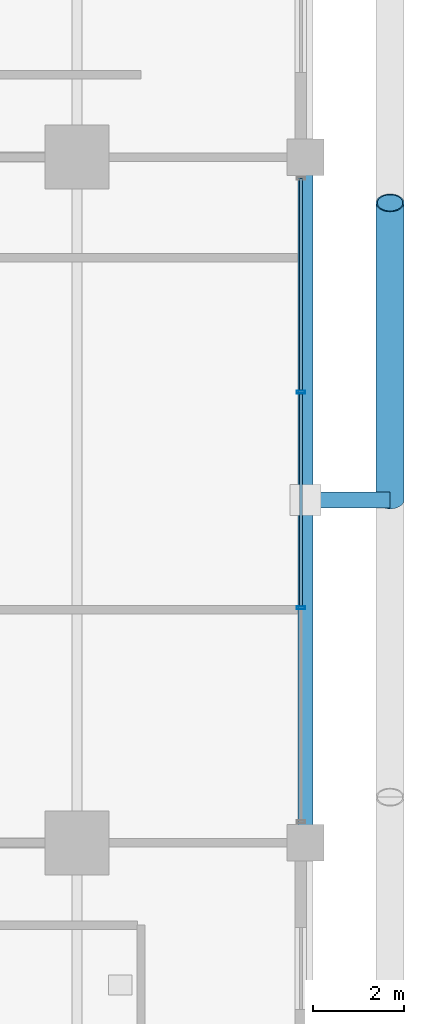
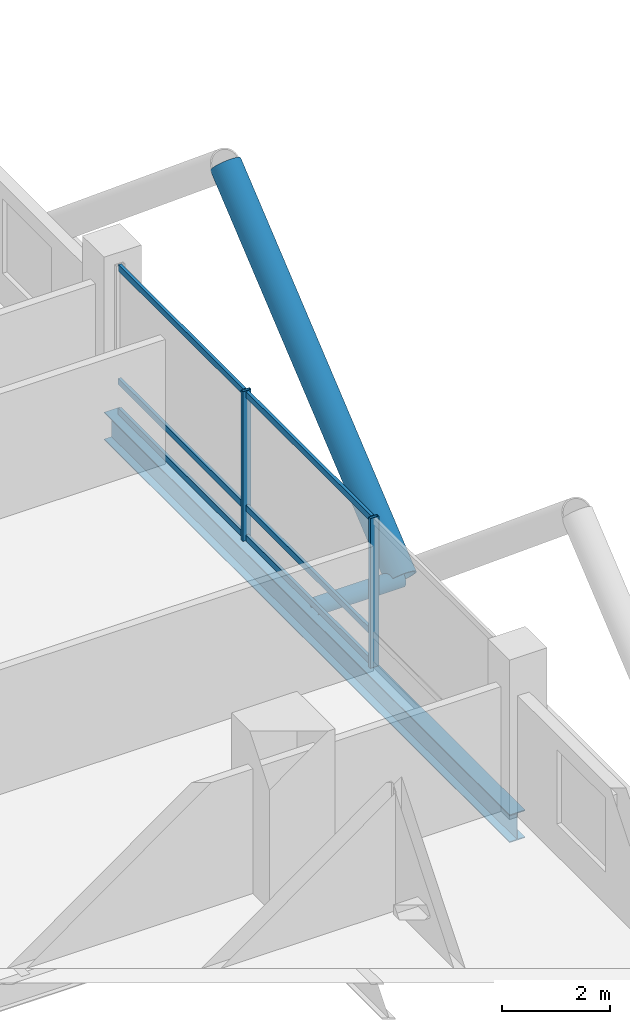
# One storey, part 12 of 26: 10 members, 1 beam, 1 element without a shape of its own.
"""IFC4 building model written with IfcOpenShell, lengths in metres."""

import ifcopenshell
import ifcopenshell.guid

model = None  # the IFC model being written
_history = None  # IfcOwnerHistory: only IFC2X3 demands one
_inside = {}  # id of a spatial element -> (the spatial element, [elements in it])
_under = {}  # id of a project, library or spatial element -> (it, [spatial elements below it])
_declared = {}  # id of a project -> (the project, [libraries it declares])
_typed = {}  # id of a type object -> (the type object, [elements of that type])
_made_of = {}  # id of a material, layer set ... -> (it, [elements and type objects made of it])


def new_model(schema):
    """Start an empty IFC model of exactly this schema.

    Asked for "IFC4X3", IfcOpenShell would pick the latest addendum, in which some entities
    have other attributes; the version numbers below select the first issue.
    IFC2X3 requires an IfcOwnerHistory on every rooted entity: one is made here for all.
    """
    global model, _history
    if schema == "IFC4X3":
        model = ifcopenshell.file(schema_version=(4, 3, 0, 0))
    else:
        model = ifcopenshell.file(schema=schema)
    _inside.clear()
    _under.clear()
    _declared.clear()
    _typed.clear()
    _made_of.clear()
    _history = None
    if model.schema == "IFC2X3":
        org = make("IfcOrganization", Name="unknown")
        user = make(
            "IfcPersonAndOrganization",
            ThePerson=make("IfcPerson", FamilyName="unknown"),
            TheOrganization=org,
        )
        app = make(
            "IfcApplication",
            ApplicationDeveloper=org,
            Version="unknown",
            ApplicationFullName="unknown",
            ApplicationIdentifier="unknown",
        )
        _history = make(
            "IfcOwnerHistory",
            OwningUser=user,
            OwningApplication=app,
            ChangeAction="ADDED",
            CreationDate=0,
        )
    return model


def make(cls, **values):
    """One entity of the class cls with the attributes given. An attribute that is None is left unset."""
    return model.create_entity(
        cls, **{name: value for name, value in values.items() if value is not None}
    )


def rooted(cls, **values):
    """An entity with a GlobalId (a new one), such as an element, a storey or a relation."""
    return make(cls, GlobalId=ifcopenshell.guid.new(), OwnerHistory=_history, **values)


def si_unit(unit_type, name, prefix=None):
    """IfcSIUnit, for example si_unit("LENGTHUNIT", "METRE", prefix="MILLI")."""
    return make("IfcSIUnit", UnitType=unit_type, Prefix=prefix, Name=name)


def assignment(units):
    """IfcUnitAssignment: the units of a project."""
    return None if units is None else make("IfcUnitAssignment", Units=units)


def point(xyz):
    """IfcCartesianPoint."""
    return None if xyz is None else make("IfcCartesianPoint", Coordinates=xyz)


def direction(xyz):
    """IfcDirection."""
    return None if xyz is None else make("IfcDirection", DirectionRatios=xyz)


def frame(location, z_axis=None, x_axis=None):
    """IfcAxis2Placement3D, a coordinate frame: its origin and axes. An axis left out is left unset."""
    return make(
        "IfcAxis2Placement3D",
        Location=point(location),
        Axis=direction(z_axis),
        RefDirection=direction(x_axis),
    )


def frame_2d(location, x_axis=None):
    """IfcAxis2Placement2D, a coordinate frame in the plane: its origin and x axis."""
    return make(
        "IfcAxis2Placement2D", Location=point(location), RefDirection=direction(x_axis)
    )


def origin():
    """The frame at (0, 0, 0) with its axes left unset."""
    return frame((0.0, 0.0, 0.0))


def origin_2d():
    """The frame at (0, 0) in the plane with its x axis left unset."""
    return frame_2d((0.0, 0.0))


def place(relative_to, where):
    """IfcLocalPlacement: puts the frame where relative to a parent placement (None: the world)."""
    return make(
        "IfcLocalPlacement", PlacementRelTo=relative_to, RelativePlacement=where
    )


def context(
    kind, dimensions, precision=None, world=None, true_north=None, identifier=None
):
    """IfcGeometricRepresentationContext, for example the 3D "Model" context."""
    return make(
        "IfcGeometricRepresentationContext",
        ContextIdentifier=identifier,
        ContextType=kind,
        CoordinateSpaceDimension=dimensions,
        Precision=precision,
        WorldCoordinateSystem=world,
        TrueNorth=true_north,
    )


def subcontext(parent, identifier, kind, view, scale=None):
    """IfcGeometricRepresentationSubContext, for example "Body" below "Model"."""
    return make(
        "IfcGeometricRepresentationSubContext",
        ContextIdentifier=identifier,
        ContextType=kind,
        ParentContext=parent,
        TargetScale=scale,
        TargetView=view,
    )


def project(units=None, contexts=None):
    """IfcProject with its units and contexts."""
    return rooted(
        "IfcProject",
        Name="project",
        RepresentationContexts=contexts,
        UnitsInContext=assignment(units),
    )


def spatial(cls, under=None, at=None, **own):
    """A site, building, storey or space (cls), placed at a placement, below another one or the project."""
    s = rooted(cls, ObjectPlacement=at, **own)
    if under is not None:
        _under.setdefault(under.id(), (under, []))[1].append(s)
    return s


def profile(cls, at=None, kind="AREA", **sizes):
    """A parametric profile (cls). Its sizes go by their IFC names, for example OverallWidth=200.0."""
    return make(cls, ProfileType=kind, Position=at, **sizes)


def hollow_rectangle(**sizes):
    """IfcRectangleHollowProfileDef."""
    return profile("IfcRectangleHollowProfileDef", **sizes)


def hollow_circle(**sizes):
    """IfcCircleHollowProfileDef."""
    return profile("IfcCircleHollowProfileDef", **sizes)


def i_section(**sizes):
    """IfcIShapeProfileDef."""
    return profile("IfcIShapeProfileDef", **sizes)


def extrude(swept, where, along, depth):
    """IfcExtrudedAreaSolid: the profile swept, set in the frame where, extruded along a direction by depth."""
    return make(
        "IfcExtrudedAreaSolid",
        SweptArea=swept,
        Position=where,
        ExtrudedDirection=direction(along),
        Depth=depth,
    )


def shape(context_of_items, identifier, shape_type, items):
    """IfcShapeRepresentation: the items that make up one representation, for example the "Body"."""
    return make(
        "IfcShapeRepresentation",
        ContextOfItems=context_of_items,
        RepresentationIdentifier=identifier,
        RepresentationType=shape_type,
        Items=items,
    )


def material(Name=None, Category=None):
    """IfcMaterial."""
    return make("IfcMaterial", Name=Name, Category=Category)


def layer(
    of_material, thickness, ventilated=None, Name=None, Category=None, Priority=None
):
    """IfcMaterialLayer: one layer of a wall or slab, of a material (None: an air gap)."""
    return make(
        "IfcMaterialLayer",
        Material=of_material,
        LayerThickness=thickness,
        IsVentilated=ventilated,
        Name=Name,
        Category=Category,
        Priority=Priority,
    )


def layer_set(layers, Name=None):
    """IfcMaterialLayerSet."""
    return make("IfcMaterialLayerSet", MaterialLayers=layers, LayerSetName=Name)


def material_profile(
    of_material, cross_section, Name=None, Category=None, Priority=None
):
    """IfcMaterialProfile: a cross section and its material."""
    return make(
        "IfcMaterialProfile",
        Name=Name,
        Material=of_material,
        Profile=cross_section,
        Priority=Priority,
        Category=Category,
    )


def profile_set(profiles, Name=None, composite=None):
    """IfcMaterialProfileSet."""
    return make(
        "IfcMaterialProfileSet",
        Name=Name,
        MaterialProfiles=profiles,
        CompositeProfile=composite,
    )


def made_of(thing, what):
    """Note that an element or type object is made of a material, layer set ...; save() writes the relation."""
    if what is not None:
        _made_of.setdefault(what.id(), (what, []))[1].append(thing)
    return thing


def type_object(cls, material=None, **own):
    """A type object (cls), such as IfcWallType, which elements share."""
    return made_of(rooted(cls, **own), material)


def element(
    cls,
    number,
    at=None,
    inside=None,
    cuts=None,
    type_object=None,
    material=None,
    context=None,
    identifier="Body",
    shape_type=None,
    held_by="IfcProductDefinitionShape",
    body=None,
    shapes=None,
    **own,
):
    """One element of the class cls, such as IfcWall. Its Tag is "e" and its number.

    at: its placement. inside: the storey or other place that contains it. cuts: it is an
    opening in that element (IfcRelVoidsElement). A single representation is given by context,
    identifier, shape_type and body (its items); several are given by shapes. held_by: the class
    of the entity that holds the representations. save() writes the other relations.
    """
    e = rooted(cls, Tag="e%d" % number, ObjectPlacement=at, **own)
    if body is not None:
        shapes = [shape(context, identifier, shape_type, body)]
    if shapes is not None:
        e.Representation = make(held_by, Representations=shapes)
    if inside is not None:
        _inside.setdefault(inside.id(), (inside, []))[1].append(e)
    if cuts is not None:
        rooted(
            "IfcRelVoidsElement", RelatingBuildingElement=cuts, RelatedOpeningElement=e
        )
    if type_object is not None:
        _typed.setdefault(type_object.id(), (type_object, []))[1].append(e)
    return made_of(e, material)


def aggregate(whole, parts):
    """IfcRelAggregates: a whole, such as a stair, and the parts it consists of."""
    return rooted("IfcRelAggregates", RelatingObject=whole, RelatedObjects=parts)


def save(model, path):
    """Write the relations noted so far, then the file.

    IfcRelAggregates (storeys below a building ...), IfcRelContainedInSpatialStructure (elements
    in a storey), IfcRelDefinesByType, IfcRelAssociatesMaterial and IfcRelDeclares: one each for
    every whole, place, type object, material and project.
    """
    for whole, parts in _under.values():
        aggregate(whole, parts)
    for where, things in _inside.values():
        rooted(
            "IfcRelContainedInSpatialStructure",
            RelatedElements=things,
            RelatingStructure=where,
        )
    for kind, things in _typed.values():
        rooted("IfcRelDefinesByType", RelatedObjects=things, RelatingType=kind)
    for what, things in _made_of.values():
        rooted("IfcRelAssociatesMaterial", RelatedObjects=things, RelatingMaterial=what)
    for by, libraries in _declared.values():
        rooted("IfcRelDeclares", RelatingContext=by, RelatedDefinitions=libraries)
    model.write(path)


model = new_model("IFC4")

# Units and contexts
model_context = context("Model", 3, precision=1e-05, world=origin(), true_north=direction((0.0, 1.0)))
body_context = subcontext(model_context, "Body", "Model", "MODEL_VIEW")
ifc_project = project(units=[si_unit("LENGTHUNIT", "METRE"), si_unit("AREAUNIT", "SQUARE_METRE"), si_unit("VOLUMEUNIT", "CUBIC_METRE"), si_unit("PLANEANGLEUNIT", "RADIAN"), si_unit("MASSUNIT", "GRAM", prefix="KILO")], contexts=[model_context])

# Site, building, storey
site_placement = place(None, origin())
site = spatial("IfcSite", under=ifc_project, at=site_placement, CompositionType="ELEMENT")
building_placement = place(site_placement, origin())
building = spatial("IfcBuilding", under=site, at=building_placement, Name="Barlavira Tower and Art Museum", CompositionType="ELEMENT")
storey_placement = place(building_placement, frame((0.0, 0.0, 82.800048828125)))
storey = spatial("IfcBuildingStorey", under=building, at=storey_placement, Name="L20", CompositionType="ELEMENT", Elevation=82.800048828125)

# Curtain wall, members
ifc_material_1 = material(Name="Low-iron coastal laminated glass", Category="glass")
ifc_layer = layer(ifc_material_1, 0.179931640625, Name="Low-iron coastal laminated glass")
ifc_layer_set = layer_set([ifc_layer], Name="Low-iron coastal laminated glass")
curtain_wall_type = type_object("IfcCurtainWallType", Name="Pale-Metal Unitised Curtain Wall Zone 1", PredefinedType="NOTDEFINED", material=ifc_layer_set)
curtain_wall_placement = place(storey_placement, origin())
curtain_wall = element("IfcCurtainWall", 1, at=curtain_wall_placement, inside=storey, type_object=curtain_wall_type, Name="L20 Curtain Wall CW1-L20-E-B3", PredefinedType="NOTDEFINED")
ifc_material_2 = material(Name="Pale anodised aluminium", Category="aluminium")
ifc_material_profile_1 = material_profile(ifc_material_2, hollow_rectangle(XDim=0.06494140625, YDim=0.179931640625, WallThickness=0.00390625, at=origin_2d()), Name="ALU-MULL 65x180x4")
ifc_profile_set_1 = profile_set([ifc_material_profile_1], Name="Pale anodised aluminium")
member_type_1 = type_object("IfcMemberType", Name="Curtain Wall Pale-Metal Mullion 65x180", PredefinedType="MULLION", material=ifc_profile_set_1)
member_1_placement = place(storey_placement, frame((21.89990234375, -2.360107421875, 0.0), z_axis=(0.0, 0.0, 1.0), x_axis=(0.0, 1.0, 0.0)))
member_1 = element("IfcMember", 2, at=member_1_placement, type_object=member_type_1, Name="CW1-L20-E-B3 Mullion 1", PredefinedType="MULLION", context=body_context, shape_type="SweptSolid", body=[
    extrude(hollow_rectangle(XDim=0.06494140625, YDim=0.179931640625, WallThickness=0.00390625, at=origin_2d()), origin(), (0.0, 0.0, 1.0), 3.3798828125),
])
member_2_placement = place(storey_placement, frame((21.89990234375, 2.360107421875, 0.0), z_axis=(0.0, 0.0, 1.0), x_axis=(0.0, 1.0, 0.0)))
member_2 = element("IfcMember", 3, at=member_2_placement, type_object=member_type_1, Name="CW1-L20-E-B3 Mullion 2", PredefinedType="MULLION", context=body_context, shape_type="SweptSolid", body=[
    extrude(hollow_rectangle(XDim=0.06494140625, YDim=0.179931640625, WallThickness=0.00390625, at=origin_2d()), origin(), (0.0, 0.0, 1.0), 3.3798828125),
])
ifc_material_profile_2 = material_profile(ifc_material_2, hollow_rectangle(XDim=0.06494140625, YDim=0.139892578125, WallThickness=0.00390625, at=origin_2d()), Name="ALU-TRAN 65x140x4")
ifc_profile_set_2 = profile_set([ifc_material_profile_2], Name="Pale anodised aluminium")
member_type_2 = type_object("IfcMemberType", Name="Curtain Wall Pale-Metal Transom 65x140", PredefinedType="USERDEFINED", material=ifc_profile_set_2)
member_3_placement = place(storey_placement, frame((21.89990234375, -2.31494140625, 0.070068359375), z_axis=(0.0, 1.0, 0.0), x_axis=(-1.0, 0.0, 0.0)))
member_3 = element("IfcMember", 4, at=member_3_placement, type_object=member_type_2, Name="CW1-L20-E-B3 Transom 1.1", ObjectType="TRANSOM", PredefinedType="USERDEFINED", context=body_context, shape_type="SweptSolid", body=[
    extrude(hollow_rectangle(XDim=0.06494140625, YDim=0.139892578125, WallThickness=0.00390625, at=origin_2d()), origin(), (0.0, 0.0, 1.0), 4.6298828125),
])
member_4_placement = place(storey_placement, frame((21.89990234375, -2.31494140625, 0.743896484375), z_axis=(0.0, 1.0, 0.0), x_axis=(-1.0, 0.0, 0.0)))
member_4 = element("IfcMember", 5, at=member_4_placement, type_object=member_type_2, Name="CW1-L20-E-B3 Transom 1.2", ObjectType="TRANSOM", PredefinedType="USERDEFINED", context=body_context, shape_type="SweptSolid", body=[
    extrude(hollow_rectangle(XDim=0.06494140625, YDim=0.139892578125, WallThickness=0.00390625, at=origin_2d()), origin(), (0.0, 0.0, 1.0), 4.6298828125),
])
member_5_placement = place(storey_placement, frame((21.89990234375, -2.31494140625, 3.31005859375), z_axis=(0.0, 1.0, 0.0), x_axis=(-1.0, 0.0, 0.0)))
member_5 = element("IfcMember", 6, at=member_5_placement, type_object=member_type_2, Name="CW1-L20-E-B3 Transom 1.3", ObjectType="TRANSOM", PredefinedType="USERDEFINED", context=body_context, shape_type="SweptSolid", body=[
    extrude(hollow_rectangle(XDim=0.06494140625, YDim=0.139892578125, WallThickness=0.00390625, at=origin_2d()), origin(), (0.0, 0.0, 1.0), 4.6298828125),
])
member_6_placement = place(storey_placement, frame((21.89990234375, 2.405029296875, 0.070068359375), z_axis=(0.0, 1.0, 0.0), x_axis=(-1.0, 0.0, 0.0)))
member_6 = element("IfcMember", 7, at=member_6_placement, type_object=member_type_2, Name="CW1-L20-E-B3 Transom 2.1", ObjectType="TRANSOM", PredefinedType="USERDEFINED", context=body_context, shape_type="SweptSolid", body=[
    extrude(hollow_rectangle(XDim=0.06494140625, YDim=0.139892578125, WallThickness=0.00390625, at=origin_2d()), origin(), (0.0, 0.0, 1.0), 4.6298828125),
])
member_7_placement = place(storey_placement, frame((21.89990234375, 2.405029296875, 0.743896484375), z_axis=(0.0, 1.0, 0.0), x_axis=(-1.0, 0.0, 0.0)))
member_7 = element("IfcMember", 8, at=member_7_placement, type_object=member_type_2, Name="CW1-L20-E-B3 Transom 2.2", ObjectType="TRANSOM", PredefinedType="USERDEFINED", context=body_context, shape_type="SweptSolid", body=[
    extrude(hollow_rectangle(XDim=0.06494140625, YDim=0.139892578125, WallThickness=0.00390625, at=origin_2d()), origin(), (0.0, 0.0, 1.0), 4.6298828125),
])
member_8_placement = place(storey_placement, frame((21.89990234375, 2.405029296875, 3.31005859375), z_axis=(0.0, 1.0, 0.0), x_axis=(-1.0, 0.0, 0.0)))
member_8 = element("IfcMember", 9, at=member_8_placement, type_object=member_type_2, Name="CW1-L20-E-B3 Transom 2.3", ObjectType="TRANSOM", PredefinedType="USERDEFINED", context=body_context, shape_type="SweptSolid", body=[
    extrude(hollow_rectangle(XDim=0.06494140625, YDim=0.139892578125, WallThickness=0.00390625, at=origin_2d()), origin(), (0.0, 0.0, 1.0), 4.6298828125),
])
aggregate(curtain_wall, [member_1, member_2, member_3, member_4, member_5, member_6, member_7, member_8])

# Members
ifc_material_3 = material(Name="Steel S355", Category="steel")
ifc_material_profile_3 = material_profile(ifc_material_3, hollow_circle(Radius=0.304931640625, WallThickness=0.028076171875, at=origin_2d()), Name="CHS 610.0x28.0")
ifc_profile_set_3 = profile_set([ifc_material_profile_3], Name="Steel S355")
member_type_3 = type_object("IfcMemberType", Name="Pale-Metal Exoskeleton Diagrid Tube CHS 610x28 Steel S355", PredefinedType="BRACE", material=ifc_profile_set_3)
member_9_placement = place(storey_placement, frame((23.85009765625, 0.0, -0.1201171875), z_axis=(0.0, 0.76918185268, 0.639029950399), x_axis=(-1.0, 0.0, 0.0)))
element("IfcMember", 10, at=member_9_placement, inside=storey, type_object=member_type_3, Name="L20 Exoskeleton Diagrid Tube E", PredefinedType="BRACE", context=body_context, shape_type="SweptSolid", body=[
    extrude(hollow_circle(Radius=0.304931640625, WallThickness=0.028076171875, at=origin_2d()), origin(), (0.0, 0.0, 1.0), 8.450439453125),
])
ifc_material_profile_4 = material_profile(ifc_material_3, hollow_circle(Radius=0.177734375, WallThickness=0.01611328125, at=origin_2d()), Name="CHS 355.6x16.0")
ifc_profile_set_4 = profile_set([ifc_material_profile_4], Name="Steel S355")
member_type_4 = type_object("IfcMemberType", Name="Pale-Metal Exoskeleton Tie Strut CHS 356x16 Steel S355", PredefinedType="STRUT", material=ifc_profile_set_4)
member_10_placement = place(storey_placement, frame((23.85009765625, 0.0, -0.1201171875), z_axis=(-1.0, 0.0, 0.0), x_axis=(0.0, -1.0, 0.0)))
element("IfcMember", 11, at=member_10_placement, inside=storey, type_object=member_type_4, Name="L20 Exoskeleton Tie Strut E2", PredefinedType="STRUT", context=body_context, shape_type="SweptSolid", body=[
    extrude(hollow_circle(Radius=0.177734375, WallThickness=0.01611328125, at=origin_2d()), origin(), (0.0, 0.0, 1.0), 1.85009765625),
])

# Beam
ifc_material_profile_5 = material_profile(ifc_material_3, i_section(OverallWidth=0.327880859375, OverallDepth=0.62890625, WebThickness=0.013916015625, FlangeThickness=0.021484375, at=origin_2d()), Name="W610x174.0")
ifc_profile_set_5 = profile_set([ifc_material_profile_5], Name="Steel S355")
beam_type = type_object("IfcBeamType", Name="Perimeter Spandrel Edge Beam W610x174 Steel S355", PredefinedType="SPANDREL", material=ifc_profile_set_5)
beam_placement = place(storey_placement, frame((22.0, -7.5, -0.53466796875), z_axis=(0.0, 1.0, 0.0), x_axis=(-1.0, 0.0, 0.0)))
element("IfcBeam", 12, at=beam_placement, inside=storey, type_object=beam_type, Name="L20 Spandrel 6", PredefinedType="SPANDREL", context=body_context, shape_type="SweptSolid", body=[
    extrude(i_section(OverallWidth=0.327880859375, OverallDepth=0.62890625, WebThickness=0.013916015625, FlangeThickness=0.021484375, at=origin_2d()), origin(), (0.0, 0.0, 1.0), 15.0),
])

save(model, "model.ifc")
